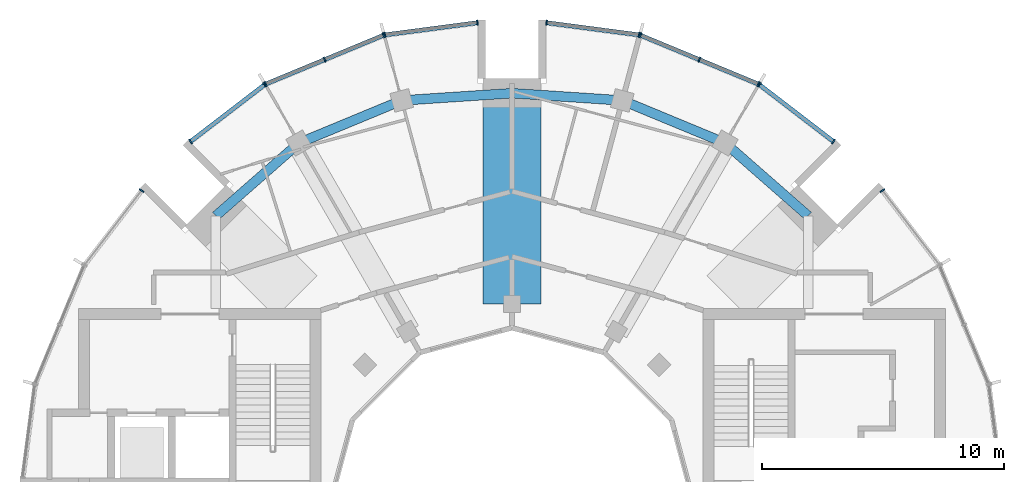
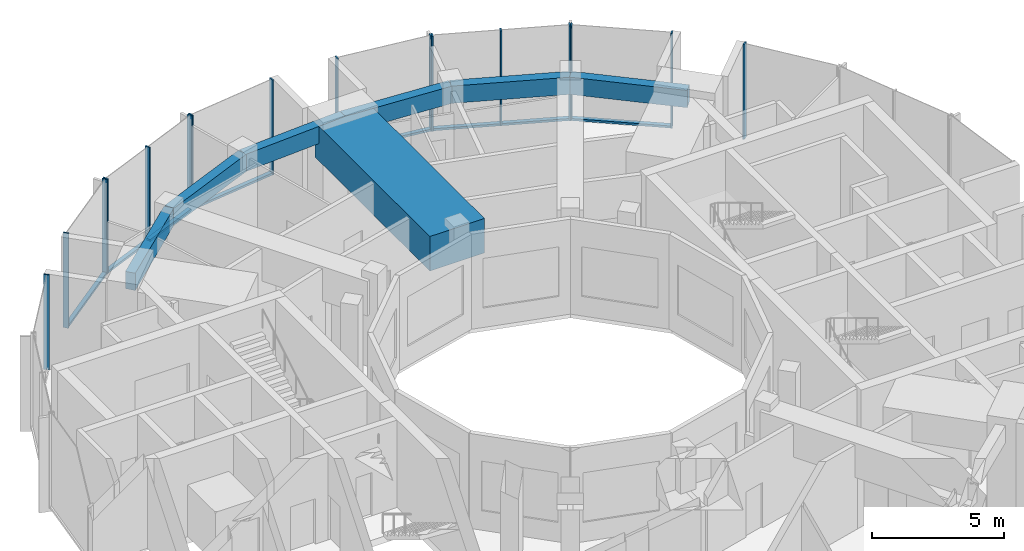
# One storey, part 5 of 13: 24 members, 7 beams, 8 elements without a shape of their own.
"""IFC4 building model written with IfcOpenShell, lengths in metres."""

from ifc_helpers import new_model, si_unit, direction, frame, origin, origin_2d, place, context, subcontext, project, spatial, rectangle, extrude, material, layer, layer_set, material_profile, profile_set, type_object, element, aggregate, save


model = new_model("IFC4")

# Units and contexts
model_context = context("Model", 3, precision=1e-05, world=origin(), true_north=direction((0.0, 1.0)))
body_context = subcontext(model_context, "Body", "Model", "MODEL_VIEW")
ifc_project = project(units=[si_unit("LENGTHUNIT", "METRE"), si_unit("AREAUNIT", "SQUARE_METRE"), si_unit("VOLUMEUNIT", "CUBIC_METRE"), si_unit("PLANEANGLEUNIT", "RADIAN"), si_unit("MASSUNIT", "GRAM", prefix="KILO")], contexts=[model_context])

# Site, building, storey
site_placement = place(None, origin())
site = spatial("IfcSite", under=ifc_project, at=site_placement, CompositionType="ELEMENT")
building_placement = place(site_placement, origin())
building = spatial("IfcBuilding", under=site, at=building_placement, Name="Torre Brocal", CompositionType="ELEMENT")
storey_placement = place(building_placement, frame((0.0, 0.0, 323.699951171875)))
storey = spatial("IfcBuildingStorey", under=building, at=storey_placement, Name="L74", CompositionType="ELEMENT", Elevation=323.699951171875)

# Curtain wall, member
ifc_material_1 = material(Name="Aluminium and glass", Category="aluminium")
ifc_layer = layer(ifc_material_1, 0.199951171875)
ifc_layer_set = layer_set([ifc_layer], Name="Aluminium and glass")
curtain_wall_type = type_object("IfcCurtainWallType", Name="CW-5 CURTAIN WALL 4400 HIGH", PredefinedType="NOTDEFINED", material=ifc_layer_set)
curtain_wall_1_placement = place(storey_placement, origin())
curtain_wall_1 = element("IfcCurtainWall", 1, at=curtain_wall_1_placement, inside=storey, type_object=curtain_wall_type, Name="CW-5 RUN 3", PredefinedType="NOTDEFINED")
ifc_material_2 = material(Name="Aluminium, dark anodised", Category="aluminium")
ifc_material_profile_1 = material_profile(ifc_material_2, rectangle(XDim=0.219970703125, YDim=0.06005859375, at=origin_2d()), Name="CW-5 MULLION 60X220")
ifc_profile_set_1 = profile_set([ifc_material_profile_1], Name="Aluminium, dark anodised")
member_type_1 = type_object("IfcMemberType", Name="CW-5 MULLION 60X220", PredefinedType="MULLION", material=ifc_profile_set_1)
member_1_placement = place(storey_placement, frame((95.30224609375, 88.2802734375, 0.0), z_axis=(0.0, 0.0, 1.0), x_axis=(-0.793353340376, -0.608761428898, 0.0)))
member_1 = element("IfcMember", 2, at=member_1_placement, type_object=member_type_1, Name="CW5-1 mullion 2", PredefinedType="MULLION", context=body_context, shape_type="SweptSolid", body=[
    extrude(rectangle(XDim=0.219970703125, YDim=0.06005859375, at=origin_2d()), origin(), (0.0, 0.0, 1.0), 4.400146484375),
])
aggregate(curtain_wall_1, [member_1])

# Curtain wall, members
curtain_wall_2_placement = place(storey_placement, origin())
curtain_wall_2 = element("IfcCurtainWall", 3, at=curtain_wall_2_placement, inside=storey, type_object=curtain_wall_type, Name="CW-5 RUN 4", PredefinedType="NOTDEFINED")
member_2_placement = place(storey_placement, frame((93.2802734375, 90.30224609375, 0.0), z_axis=(0.0, 0.0, 1.0), x_axis=(-0.608761428898, -0.793353340376, 0.0)))
member_2 = element("IfcMember", 4, at=member_2_placement, type_object=member_type_1, Name="CW5-1 mullion 1", PredefinedType="MULLION", context=body_context, shape_type="SweptSolid", body=[
    extrude(rectangle(XDim=0.219970703125, YDim=0.06005859375, at=origin_2d()), origin(), (0.0, 0.0, 1.0), 4.400146484375),
])
member_3_placement = place(storey_placement, frame((90.223388671875, 92.64794921875, 0.0), z_axis=(0.0, 0.0, 1.0), x_axis=(-0.608761428898, -0.793353340376, 0.0)))
member_3 = element("IfcMember", 5, at=member_3_placement, type_object=member_type_1, Name="CW5-1 mullion 2", PredefinedType="MULLION", context=body_context, shape_type="SweptSolid", body=[
    extrude(rectangle(XDim=0.219970703125, YDim=0.06005859375, at=origin_2d()), origin(), (0.0, 0.0, 1.0), 4.400146484375),
])

curtain_wall_3_placement = place(storey_placement, origin())
curtain_wall_3 = element("IfcCurtainWall", 6, at=curtain_wall_3_placement, inside=storey, type_object=curtain_wall_type, Name="CW-5 RUN 5", PredefinedType="NOTDEFINED")
member_4_placement = place(storey_placement, frame((90.171875, 92.677734375, 0.0), z_axis=(0.0, 0.0, 1.0), x_axis=(-0.382683432446, -0.923879532478, 0.0)))
member_4 = element("IfcMember", 7, at=member_4_placement, type_object=member_type_1, Name="CW5-1 mullion 1", PredefinedType="MULLION", context=body_context, shape_type="SweptSolid", body=[
    extrude(rectangle(XDim=0.219970703125, YDim=0.06005859375, at=origin_2d()), origin(), (0.0, 0.0, 1.0), 4.400146484375),
])
member_5_placement = place(storey_placement, frame((87.73974609375, 93.68505859375, 0.0), z_axis=(0.0, 0.0, 1.0), x_axis=(-0.382683432446, -0.923879532478, 0.0)))
member_5 = element("IfcMember", 8, at=member_5_placement, type_object=member_type_1, Name="CW5-1 mullion 2", PredefinedType="MULLION", context=body_context, shape_type="SweptSolid", body=[
    extrude(rectangle(XDim=0.219970703125, YDim=0.06005859375, at=origin_2d()), origin(), (0.0, 0.0, 1.0), 4.400146484375),
])
member_6_placement = place(storey_placement, frame((85.307373046875, 94.692626953125, 0.0), z_axis=(0.0, 0.0, 1.0), x_axis=(-0.382683432446, -0.923879532478, 0.0)))
member_6 = element("IfcMember", 9, at=member_6_placement, type_object=member_type_1, Name="CW5-1 mullion 3", PredefinedType="MULLION", context=body_context, shape_type="SweptSolid", body=[
    extrude(rectangle(XDim=0.219970703125, YDim=0.06005859375, at=origin_2d()), origin(), (0.0, 0.0, 1.0), 4.400146484375),
])

curtain_wall_4_placement = place(storey_placement, origin())
curtain_wall_4 = element("IfcCurtainWall", 10, at=curtain_wall_4_placement, inside=storey, type_object=curtain_wall_type, Name="CW-5 RUN 6", PredefinedType="NOTDEFINED")
member_7_placement = place(storey_placement, frame((85.25, 94.7080078125, 0.0), z_axis=(0.0, 0.0, 1.0), x_axis=(-0.130526192064, -0.991444861394, 0.0)))
member_7 = element("IfcMember", 11, at=member_7_placement, type_object=member_type_1, Name="CW5-1 mullion 1", PredefinedType="MULLION", context=body_context, shape_type="SweptSolid", body=[
    extrude(rectangle(XDim=0.219970703125, YDim=0.06005859375, at=origin_2d()), origin(), (0.0, 0.0, 1.0), 4.400146484375),
])
member_8_placement = place(storey_placement, frame((81.4296875, 95.2109375, 0.0), z_axis=(0.0, 0.0, 1.0), x_axis=(-0.130526192064, -0.991444861394, 0.0)))
member_8 = element("IfcMember", 12, at=member_8_placement, type_object=member_type_1, Name="CW5-1 mullion 2", PredefinedType="MULLION", context=body_context, shape_type="SweptSolid", body=[
    extrude(rectangle(XDim=0.219970703125, YDim=0.06005859375, at=origin_2d()), origin(), (0.0, 0.0, 1.0), 4.400146484375),
])

curtain_wall_5_placement = place(storey_placement, origin())
curtain_wall_5 = element("IfcCurtainWall", 13, at=curtain_wall_5_placement, inside=storey, type_object=curtain_wall_type, Name="CW-5 RUN 7", PredefinedType="NOTDEFINED")
member_9_placement = place(storey_placement, frame((78.5703125, 95.2109375, 0.0), z_axis=(0.0, 0.0, 1.0), x_axis=(0.130526192064, -0.991444861394, 0.0)))
member_9 = element("IfcMember", 14, at=member_9_placement, type_object=member_type_1, Name="CW5-1 mullion 1", PredefinedType="MULLION", context=body_context, shape_type="SweptSolid", body=[
    extrude(rectangle(XDim=0.219970703125, YDim=0.06005859375, at=origin_2d()), origin(), (0.0, 0.0, 1.0), 4.400146484375),
])
member_10_placement = place(storey_placement, frame((74.75, 94.7080078125, 0.0), z_axis=(0.0, 0.0, 1.0), x_axis=(0.130526192064, -0.991444861394, 0.0)))
member_10 = element("IfcMember", 15, at=member_10_placement, type_object=member_type_1, Name="CW5-1 mullion 2", PredefinedType="MULLION", context=body_context, shape_type="SweptSolid", body=[
    extrude(rectangle(XDim=0.219970703125, YDim=0.06005859375, at=origin_2d()), origin(), (0.0, 0.0, 1.0), 4.400146484375),
])

curtain_wall_6_placement = place(storey_placement, origin())
curtain_wall_6 = element("IfcCurtainWall", 16, at=curtain_wall_6_placement, inside=storey, type_object=curtain_wall_type, Name="CW-5 RUN 8", PredefinedType="NOTDEFINED")
member_11_placement = place(storey_placement, frame((74.692626953125, 94.692626953125, 0.0), z_axis=(0.0, 0.0, 1.0), x_axis=(0.382683432446, -0.923879532478, 0.0)))
member_11 = element("IfcMember", 17, at=member_11_placement, type_object=member_type_1, Name="CW5-1 mullion 1", PredefinedType="MULLION", context=body_context, shape_type="SweptSolid", body=[
    extrude(rectangle(XDim=0.219970703125, YDim=0.06005859375, at=origin_2d()), origin(), (0.0, 0.0, 1.0), 4.400146484375),
])
member_12_placement = place(storey_placement, frame((72.26025390625, 93.68505859375, 0.0), z_axis=(0.0, 0.0, 1.0), x_axis=(0.382683432446, -0.923879532478, 0.0)))
member_12 = element("IfcMember", 18, at=member_12_placement, type_object=member_type_1, Name="CW5-1 mullion 2", PredefinedType="MULLION", context=body_context, shape_type="SweptSolid", body=[
    extrude(rectangle(XDim=0.219970703125, YDim=0.06005859375, at=origin_2d()), origin(), (0.0, 0.0, 1.0), 4.400146484375),
])
member_13_placement = place(storey_placement, frame((69.828125, 92.677734375, 0.0), z_axis=(0.0, 0.0, 1.0), x_axis=(0.382683432446, -0.923879532478, 0.0)))
member_13 = element("IfcMember", 19, at=member_13_placement, type_object=member_type_1, Name="CW5-1 mullion 3", PredefinedType="MULLION", context=body_context, shape_type="SweptSolid", body=[
    extrude(rectangle(XDim=0.219970703125, YDim=0.06005859375, at=origin_2d()), origin(), (0.0, 0.0, 1.0), 4.400146484375),
])

curtain_wall_7_placement = place(storey_placement, origin())
curtain_wall_7 = element("IfcCurtainWall", 20, at=curtain_wall_7_placement, inside=storey, type_object=curtain_wall_type, Name="CW-5 RUN 9", PredefinedType="NOTDEFINED")
member_14_placement = place(storey_placement, frame((69.776611328125, 92.64794921875, 0.0), z_axis=(0.0, 0.0, 1.0), x_axis=(0.608761428898, -0.793353340376, 0.0)))
member_14 = element("IfcMember", 21, at=member_14_placement, type_object=member_type_1, Name="CW5-1 mullion 1", PredefinedType="MULLION", context=body_context, shape_type="SweptSolid", body=[
    extrude(rectangle(XDim=0.219970703125, YDim=0.06005859375, at=origin_2d()), origin(), (0.0, 0.0, 1.0), 4.400146484375),
])
member_15_placement = place(storey_placement, frame((66.7197265625, 90.30224609375, 0.0), z_axis=(0.0, 0.0, 1.0), x_axis=(0.608761428898, -0.793353340376, 0.0)))
member_15 = element("IfcMember", 22, at=member_15_placement, type_object=member_type_1, Name="CW5-1 mullion 2", PredefinedType="MULLION", context=body_context, shape_type="SweptSolid", body=[
    extrude(rectangle(XDim=0.219970703125, YDim=0.06005859375, at=origin_2d()), origin(), (0.0, 0.0, 1.0), 4.400146484375),
])

# Curtain wall, member
curtain_wall_8_placement = place(storey_placement, origin())
curtain_wall_8 = element("IfcCurtainWall", 23, at=curtain_wall_8_placement, inside=storey, type_object=curtain_wall_type, Name="CW-5 RUN 10", PredefinedType="NOTDEFINED")
member_16_placement = place(storey_placement, frame((64.69775390625, 88.2802734375, 0.0), z_axis=(0.0, 0.0, 1.0), x_axis=(0.793353340376, -0.608761428898, 0.0)))
member_16 = element("IfcMember", 24, at=member_16_placement, type_object=member_type_1, Name="CW5-1 mullion 1", PredefinedType="MULLION", context=body_context, shape_type="SweptSolid", body=[
    extrude(rectangle(XDim=0.219970703125, YDim=0.06005859375, at=origin_2d()), origin(), (0.0, 0.0, 1.0), 4.400146484375),
])
aggregate(curtain_wall_8, [member_16])

# Member
ifc_material_3 = material(Name="Aluminium, dark anodised", Category="aluminium")
ifc_material_profile_2 = material_profile(ifc_material_3, rectangle(XDim=0.179931640625, YDim=0.10009765625, at=origin_2d()), Name="CW-5 TRANSOM 180X100")
ifc_profile_set_2 = profile_set([ifc_material_profile_2], Name="Aluminium, dark anodised")
member_type_2 = type_object("IfcMemberType", Name="CW-5 TRANSOM 180X100", PredefinedType="USERDEFINED", material=ifc_profile_set_2)
member_17_placement = place(storey_placement, frame((93.256591796875, 90.320556640625, 0.050048828125), z_axis=(-0.793379443335, 0.60872740935, 0.0), x_axis=(-0.60872740935, -0.793379443335, 0.0)))
member_17 = element("IfcMember", 25, at=member_17_placement, type_object=member_type_2, Name="CW5-1 transom 1.1", ObjectType="TRANSOM", PredefinedType="USERDEFINED", context=body_context, shape_type="SweptSolid", body=[
    extrude(rectangle(XDim=0.179931640625, YDim=0.10009765625, at=origin_2d()), origin(), (0.0, 0.0, 1.0), 3.793212890625),
])

aggregate(curtain_wall_2, [member_2, member_3, member_17])

member_18_placement = place(storey_placement, frame((90.14404296875, 92.689208984375, 0.050048828125), z_axis=(-0.923891914334, 0.382653538633, 0.0), x_axis=(-0.382653538633, -0.923891914334, 0.0)))
member_18 = element("IfcMember", 26, at=member_18_placement, type_object=member_type_2, Name="CW5-1 transom 1.1", ObjectType="TRANSOM", PredefinedType="USERDEFINED", context=body_context, shape_type="SweptSolid", body=[
    extrude(rectangle(XDim=0.179931640625, YDim=0.10009765625, at=origin_2d()), origin(), (0.0, 0.0, 1.0), 2.572509765625),
])

member_19_placement = place(storey_placement, frame((87.7119140625, 93.696533203125, 0.050048828125), z_axis=(-0.923858360488, 0.382734542152, 0.0), x_axis=(-0.382734542152, -0.923858360488, 0.0)))
member_19 = element("IfcMember", 27, at=member_19_placement, type_object=member_type_2, Name="CW5-1 transom 2.1", ObjectType="TRANSOM", PredefinedType="USERDEFINED", context=body_context, shape_type="SweptSolid", body=[
    extrude(rectangle(XDim=0.179931640625, YDim=0.10009765625, at=origin_2d()), origin(), (0.0, 0.0, 1.0), 2.572509765625),
])

aggregate(curtain_wall_3, [member_4, member_5, member_6, member_18, member_19])

member_20_placement = place(storey_placement, frame((85.22021484375, 94.7119140625, 0.050048828125), z_axis=(-0.99144465375, 0.130527769268, 0.0), x_axis=(-0.130527769268, -0.99144465375, 0.0)))
member_20 = element("IfcMember", 28, at=member_20_placement, type_object=member_type_2, Name="CW5-1 transom 1.1", ObjectType="TRANSOM", PredefinedType="USERDEFINED", context=body_context, shape_type="SweptSolid", body=[
    extrude(rectangle(XDim=0.179931640625, YDim=0.10009765625, at=origin_2d()), origin(), (0.0, 0.0, 1.0), 3.793212890625),
])

aggregate(curtain_wall_4, [member_7, member_8, member_20])

member_21_placement = place(storey_placement, frame((78.54052734375, 95.20703125, 0.050048828125), z_axis=(-0.99144465375, -0.130527769268, 0.0), x_axis=(0.130527769268, -0.99144465375, 0.0)))
member_21 = element("IfcMember", 29, at=member_21_placement, type_object=member_type_2, Name="CW5-1 transom 1.1", ObjectType="TRANSOM", PredefinedType="USERDEFINED", context=body_context, shape_type="SweptSolid", body=[
    extrude(rectangle(XDim=0.179931640625, YDim=0.10009765625, at=origin_2d()), origin(), (0.0, 0.0, 1.0), 3.793212890625),
])

aggregate(curtain_wall_5, [member_9, member_10, member_21])

member_22_placement = place(storey_placement, frame((74.664794921875, 94.68115234375, 0.050048828125), z_axis=(-0.923858360488, -0.382734542152, 0.0), x_axis=(0.382734542152, -0.923858360488, 0.0)))
member_22 = element("IfcMember", 30, at=member_22_placement, type_object=member_type_2, Name="CW5-1 transom 1.1", ObjectType="TRANSOM", PredefinedType="USERDEFINED", context=body_context, shape_type="SweptSolid", body=[
    extrude(rectangle(XDim=0.179931640625, YDim=0.10009765625, at=origin_2d()), origin(), (0.0, 0.0, 1.0), 2.572509765625),
])

member_23_placement = place(storey_placement, frame((72.232666015625, 93.673583984375, 0.050048828125), z_axis=(-0.923891914334, -0.382653538633, 0.0), x_axis=(0.382653538633, -0.923891914334, 0.0)))
member_23 = element("IfcMember", 31, at=member_23_placement, type_object=member_type_2, Name="CW5-1 transom 2.1", ObjectType="TRANSOM", PredefinedType="USERDEFINED", context=body_context, shape_type="SweptSolid", body=[
    extrude(rectangle(XDim=0.179931640625, YDim=0.10009765625, at=origin_2d()), origin(), (0.0, 0.0, 1.0), 2.572509765625),
])

aggregate(curtain_wall_6, [member_11, member_12, member_13, member_22, member_23])

member_24_placement = place(storey_placement, frame((69.7529296875, 92.629638671875, 0.050048828125), z_axis=(-0.793379443335, -0.60872740935, 0.0), x_axis=(0.60872740935, -0.793379443335, 0.0)))
member_24 = element("IfcMember", 32, at=member_24_placement, type_object=member_type_2, Name="CW5-1 transom 1.1", ObjectType="TRANSOM", PredefinedType="USERDEFINED", context=body_context, shape_type="SweptSolid", body=[
    extrude(rectangle(XDim=0.179931640625, YDim=0.10009765625, at=origin_2d()), origin(), (0.0, 0.0, 1.0), 3.793212890625),
])

aggregate(curtain_wall_7, [member_14, member_15, member_24])

# Beams
ifc_material_4 = material(Name="Concrete C50", Category="concrete")
ifc_material_profile_3 = material_profile(ifc_material_4, rectangle(XDim=0.39990234375, YDim=0.800048828125, at=origin_2d()), Name="RC 400X800")
ifc_profile_set_3 = profile_set([ifc_material_profile_3], Name="Concrete C50")
beam_type_1 = type_object("IfcBeamType", Name="RC SPANDREL BEAM 400X800 C50 TOP 4050", PredefinedType="SPANDREL", material=ifc_profile_set_3)
beam_1_placement = place(storey_placement, frame((92.23291015625, 87.23291015625, 3.650146484375), z_axis=(-0.752003258433, 0.659159388393, 0.0), x_axis=(-0.659159388393, -0.752003258433, 0.0)))
element("IfcBeam", 33, at=beam_1_placement, inside=storey, type_object=beam_type_1, Name="Beam BT-51", PredefinedType="SPANDREL", context=body_context, shape_type="SweptSolid", body=[
    extrude(rectangle(XDim=0.39990234375, YDim=0.800048828125, at=origin_2d()), origin(), (0.0, 0.0, 1.0), 4.56494140625),
])
beam_2_placement = place(storey_placement, frame((88.800048828125, 90.241943359375, 3.650146484375), z_axis=(-0.923878240166, 0.382686552348, 0.0), x_axis=(-0.382686552348, -0.923878240166, 0.0)))
element("IfcBeam", 34, at=beam_2_placement, inside=storey, type_object=beam_type_1, Name="Beam BT-51", PredefinedType="SPANDREL", context=body_context, shape_type="SweptSolid", body=[
    extrude(rectangle(XDim=0.39990234375, YDim=0.800048828125, at=origin_2d()), origin(), (0.0, 0.0, 1.0), 4.5947265625),
])
for number, where, z_axis, x_axis, name in (
    (35, (84.55517578125, 92.000244140625, 3.650146484375), (-0.9978411205, 0.06567418244, 0.0), (-0.06567418244, -0.9978411205, 0.0), "Beam BT-51"),
    (36, (80.0, 92.300048828125, 3.650146484375), (-0.9978411205, -0.06567418244, 0.0), (0.06567418244, -0.9978411205, 0.0), "Beam BT-51"),
):
    element("IfcBeam", number, at=place(storey_placement, frame(where, z_axis=z_axis, x_axis=x_axis)), inside=storey, type_object=beam_type_1, Name=name, PredefinedType="SPANDREL", context=body_context, shape_type="SweptSolid", body=[
        extrude(rectangle(XDim=0.39990234375, YDim=0.800048828125, at=origin_2d()), origin(), (0.0, 0.0, 1.0), 4.56494140625),
    ])
beam_3_placement = place(storey_placement, frame((75.44482421875, 92.000244140625, 3.650146484375), z_axis=(-0.923878240166, -0.382686552348, 0.0), x_axis=(0.382686552348, -0.923878240166, 0.0)))
element("IfcBeam", 37, at=beam_3_placement, inside=storey, type_object=beam_type_1, Name="Beam BT-51", PredefinedType="SPANDREL", context=body_context, shape_type="SweptSolid", body=[
    extrude(rectangle(XDim=0.39990234375, YDim=0.800048828125, at=origin_2d()), origin(), (0.0, 0.0, 1.0), 4.5947265625),
])
beam_4_placement = place(storey_placement, frame((71.199951171875, 90.241943359375, 3.650146484375), z_axis=(-0.752003258433, -0.659159388393, 0.0), x_axis=(0.659159388393, -0.752003258433, 0.0)))
element("IfcBeam", 38, at=beam_4_placement, inside=storey, type_object=beam_type_1, Name="Beam BT-51", PredefinedType="SPANDREL", context=body_context, shape_type="SweptSolid", body=[
    extrude(rectangle(XDim=0.39990234375, YDim=0.800048828125, at=origin_2d()), origin(), (0.0, 0.0, 1.0), 4.56494140625),
])
ifc_material_5 = material(Name="Concrete C60", Category="concrete")
ifc_material_profile_4 = material_profile(ifc_material_5, rectangle(XDim=2.39990234375, YDim=1.60009765625, at=origin_2d()), Name="RC 2400X1600")
ifc_profile_set_4 = profile_set([ifc_material_profile_4], Name="Concrete C60")
beam_type_2 = type_object("IfcBeamType", Name="RC TRANSFER GIRDER 2400X1600 C60 TOP 4050", PredefinedType="BEAM", material=ifc_profile_set_4)
beam_5_placement = place(storey_placement, frame((80.0, 83.60009765625, 3.25), z_axis=(0.0, 1.0, 0.0), x_axis=(-1.0, 0.0, 0.0)))
element("IfcBeam", 39, at=beam_5_placement, inside=storey, type_object=beam_type_2, Name="Beam TG-13", PredefinedType="BEAM", context=body_context, shape_type="SweptSolid", body=[
    extrude(rectangle(XDim=2.39990234375, YDim=1.60009765625, at=origin_2d()), origin(), (0.0, 0.0, 1.0), 8.699951171875),
])

save(model, "model.ifc")
